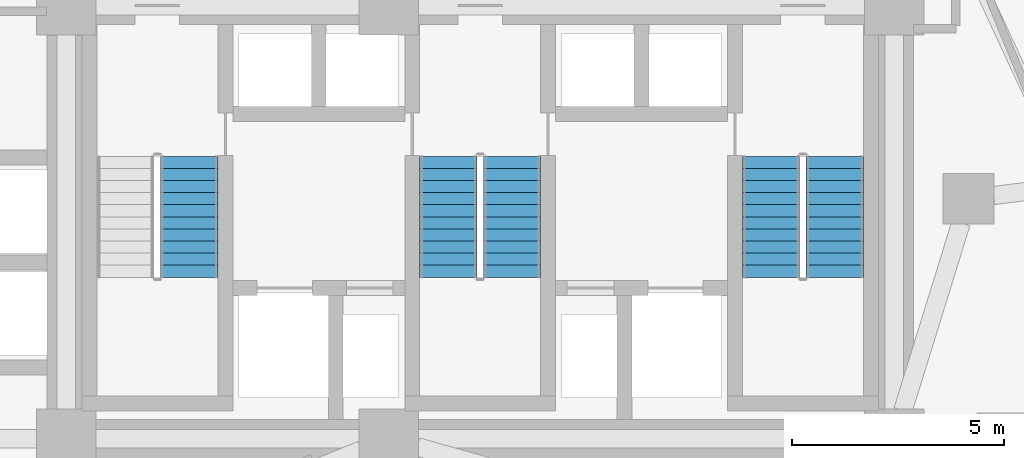
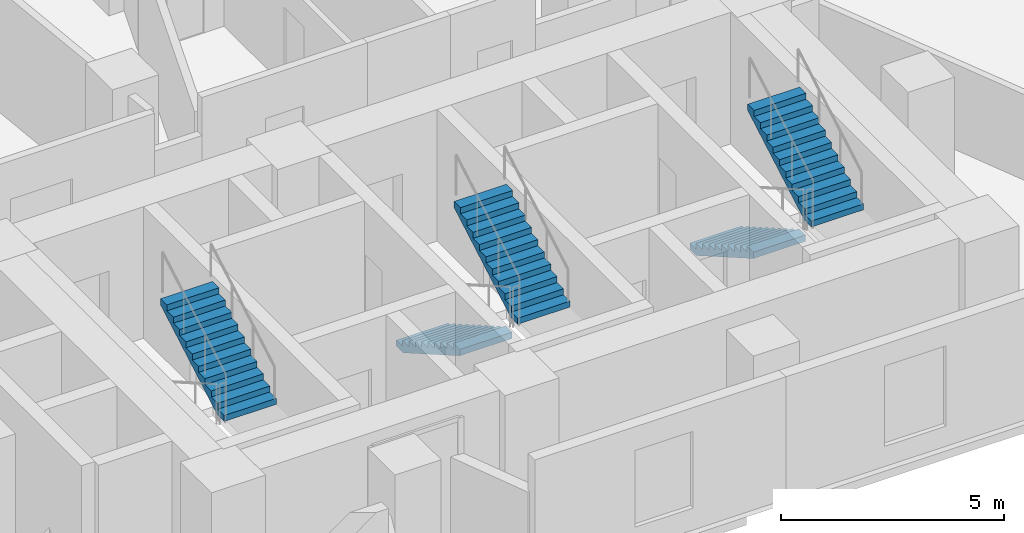
# One storey, part 10 of 13: 5 stair flights, 3 elements without a shape of their own.
"""IFC4 building model written with IfcOpenShell, lengths in metres."""

from ifc_helpers import new_model, si_unit, direction, frame, origin, place, context, subcontext, project, spatial, polyline, outline, extrude, material, type_object, element, aggregate, save


model = new_model("IFC4")

# Units and contexts
model_context = context("Model", 3, precision=1e-05, world=origin(), true_north=direction((0.0, 1.0)))
body_context = subcontext(model_context, "Body", "Model", "MODEL_VIEW")
ifc_project = project(units=[si_unit("LENGTHUNIT", "METRE"), si_unit("AREAUNIT", "SQUARE_METRE"), si_unit("VOLUMEUNIT", "CUBIC_METRE"), si_unit("PLANEANGLEUNIT", "RADIAN"), si_unit("MASSUNIT", "GRAM", prefix="KILO")], contexts=[model_context])

# Site, building, storey
site_placement = place(None, origin())
site = spatial("IfcSite", under=ifc_project, at=site_placement, CompositionType="ELEMENT")
building_placement = place(site_placement, origin())
building = spatial("IfcBuilding", under=site, at=building_placement, Name="Almagre Mirador Tower", CompositionType="ELEMENT")
storey_placement = place(building_placement, frame((0.0, 0.0, 85.800048828125)))
storey = spatial("IfcBuildingStorey", under=building, at=storey_placement, Name="L21", CompositionType="ELEMENT", Elevation=85.800048828125)

# Stair, stair flight
ifc_material_1 = material(Name="Concrete C45/55", Category="concrete")
stair_type = type_object("IfcStairType", Name="STR-DL-3600", PredefinedType="HALF_TURN_STAIR", material=ifc_material_1)
stair_1_placement = place(storey_placement, origin())
stair_1 = element("IfcStair", 1, at=stair_1_placement, inside=storey, type_object=stair_type, Name="L21 Protected exit stair ST-1", PredefinedType="HALF_TURN_STAIR")
ifc_material_2 = material(Name="Concrete C45/55", Category="concrete")
stair_flight_type = type_object("IfcStairFlightType", Name="FLT-DL-3600", PredefinedType="STRAIGHT", material=ifc_material_2)
stair_flight_1_placement = place(storey_placement, frame((30.449951171875, 8.35009765625, 1.800048828125), z_axis=(0.0, 0.0, 1.0), x_axis=(0.0, 1.0, 0.0)))
stair_flight_1 = element("IfcStairFlight", 2, at=stair_flight_1_placement, type_object=stair_flight_type, Name="ST-1 flight 2", NumberOfRisers=11, NumberOfTreads=10, PredefinedType="STRAIGHT", RiserHeight=0.163636364, TreadLength=0.285, context=body_context, shape_type="SweptSolid", body=[
    extrude(outline(polyline([(0.0, 0.0), (0.0, 0.16357421875), (0.284912109375, 0.16357421875), (0.284912109375, 0.327392578125), (0.570068359375, 0.327392578125), (0.570068359375, 0.490966796875), (0.85498046875, 0.490966796875), (0.85498046875, 0.654541015625), (1.139892578125, 0.654541015625), (1.139892578125, 0.818115234375), (1.425048828125, 0.818115234375), (1.425048828125, 0.98193359375), (1.7099609375, 0.98193359375), (1.7099609375, 1.1455078125), (1.9951171875, 1.1455078125), (1.9951171875, 1.30908203125), (2.280029296875, 1.30908203125), (2.280029296875, 1.47265625), (2.56494140625, 1.47265625), (2.56494140625, 1.636474609375), (2.85009765625, 1.636474609375), (2.85009765625, 1.800048828125), (2.85009765625, 1.463623046875), (0.301025390625, 0.0), (0.0, 0.0)])), frame((0.0, 0.675048828125, 0.0), z_axis=(0.0, -1.0, 0.0), x_axis=(1.0, 0.0, 0.0)), (0.0, 0.0, 1.0), 1.35009765625),
])
aggregate(stair_1, [stair_flight_1])

# Stair, stair flights
stair_2_placement = place(storey_placement, origin())
stair_2 = element("IfcStair", 3, at=stair_2_placement, inside=storey, type_object=stair_type, Name="L21 Protected exit stair ST-2", PredefinedType="HALF_TURN_STAIR")
stair_flight_2_placement = place(storey_placement, frame((36.550048828125, 11.199951171875, 0.0), z_axis=(0.0, 0.0, 1.0), x_axis=(0.0, -1.0, 0.0)))
stair_flight_2 = element("IfcStairFlight", 4, at=stair_flight_2_placement, type_object=stair_flight_type, Name="ST-2 flight 1", NumberOfRisers=11, NumberOfTreads=10, PredefinedType="STRAIGHT", RiserHeight=0.163636364, TreadLength=0.285, context=body_context, shape_type="SweptSolid", body=[
    extrude(outline(polyline([(0.0, 0.0), (0.0, 0.16357421875), (0.284912109375, 0.16357421875), (0.284912109375, 0.327392578125), (0.570068359375, 0.327392578125), (0.570068359375, 0.490966796875), (0.85498046875, 0.490966796875), (0.85498046875, 0.654541015625), (1.139892578125, 0.654541015625), (1.139892578125, 0.818115234375), (1.425048828125, 0.818115234375), (1.425048828125, 0.98193359375), (1.7099609375, 0.98193359375), (1.7099609375, 1.1455078125), (1.9951171875, 1.1455078125), (1.9951171875, 1.30908203125), (2.280029296875, 1.30908203125), (2.280029296875, 1.47265625), (2.56494140625, 1.47265625), (2.56494140625, 1.636474609375), (2.85009765625, 1.636474609375), (2.85009765625, 1.800048828125), (2.85009765625, 1.463623046875), (0.301025390625, 0.0), (0.0, 0.0)])), frame((0.0, 0.675048828125, 0.0), z_axis=(0.0, -1.0, 0.0), x_axis=(1.0, 0.0, 0.0)), (0.0, 0.0, 1.0), 1.35009765625),
])
stair_flight_3_placement = place(storey_placement, frame((38.050048828125, 8.35009765625, 1.800048828125), z_axis=(0.0, 0.0, 1.0), x_axis=(0.0, 1.0, 0.0)))
stair_flight_3 = element("IfcStairFlight", 5, at=stair_flight_3_placement, type_object=stair_flight_type, Name="ST-2 flight 2", NumberOfRisers=11, NumberOfTreads=10, PredefinedType="STRAIGHT", RiserHeight=0.163636364, TreadLength=0.285, context=body_context, shape_type="SweptSolid", body=[
    extrude(outline(polyline([(0.0, 0.0), (0.0, 0.16357421875), (0.284912109375, 0.16357421875), (0.284912109375, 0.327392578125), (0.570068359375, 0.327392578125), (0.570068359375, 0.490966796875), (0.85498046875, 0.490966796875), (0.85498046875, 0.654541015625), (1.139892578125, 0.654541015625), (1.139892578125, 0.818115234375), (1.425048828125, 0.818115234375), (1.425048828125, 0.98193359375), (1.7099609375, 0.98193359375), (1.7099609375, 1.1455078125), (1.9951171875, 1.1455078125), (1.9951171875, 1.30908203125), (2.280029296875, 1.30908203125), (2.280029296875, 1.47265625), (2.56494140625, 1.47265625), (2.56494140625, 1.636474609375), (2.85009765625, 1.636474609375), (2.85009765625, 1.800048828125), (2.85009765625, 1.463623046875), (0.301025390625, 0.0), (0.0, 0.0)])), frame((0.0, 0.675048828125, 0.0), z_axis=(0.0, -1.0, 0.0), x_axis=(1.0, 0.0, 0.0)), (0.0, 0.0, 1.0), 1.35009765625),
])
aggregate(stair_2, [stair_flight_2, stair_flight_3])

stair_3_placement = place(storey_placement, origin())
stair_3 = element("IfcStair", 6, at=stair_3_placement, inside=storey, type_object=stair_type, Name="L21 Protected exit stair ST-3", PredefinedType="HALF_TURN_STAIR")
stair_flight_4_placement = place(storey_placement, frame((44.14990234375, 11.199951171875, 0.0), z_axis=(0.0, 0.0, 1.0), x_axis=(0.0, -1.0, 0.0)))
stair_flight_4 = element("IfcStairFlight", 7, at=stair_flight_4_placement, type_object=stair_flight_type, Name="ST-3 flight 1", NumberOfRisers=11, NumberOfTreads=10, PredefinedType="STRAIGHT", RiserHeight=0.163636364, TreadLength=0.285, context=body_context, shape_type="SweptSolid", body=[
    extrude(outline(polyline([(0.0, 0.0), (0.0, 0.16357421875), (0.284912109375, 0.16357421875), (0.284912109375, 0.327392578125), (0.570068359375, 0.327392578125), (0.570068359375, 0.490966796875), (0.85498046875, 0.490966796875), (0.85498046875, 0.654541015625), (1.139892578125, 0.654541015625), (1.139892578125, 0.818115234375), (1.425048828125, 0.818115234375), (1.425048828125, 0.98193359375), (1.7099609375, 0.98193359375), (1.7099609375, 1.1455078125), (1.9951171875, 1.1455078125), (1.9951171875, 1.30908203125), (2.280029296875, 1.30908203125), (2.280029296875, 1.47265625), (2.56494140625, 1.47265625), (2.56494140625, 1.636474609375), (2.85009765625, 1.636474609375), (2.85009765625, 1.800048828125), (2.85009765625, 1.463623046875), (0.301025390625, 0.0), (0.0, 0.0)])), frame((0.0, 0.675048828125, 0.0), z_axis=(0.0, -1.0, 0.0), x_axis=(1.0, 0.0, 0.0)), (0.0, 0.0, 1.0), 1.35009765625),
])
stair_flight_5_placement = place(storey_placement, frame((45.64990234375, 8.35009765625, 1.800048828125), z_axis=(0.0, 0.0, 1.0), x_axis=(0.0, 1.0, 0.0)))
stair_flight_5 = element("IfcStairFlight", 8, at=stair_flight_5_placement, type_object=stair_flight_type, Name="ST-3 flight 2", NumberOfRisers=11, NumberOfTreads=10, PredefinedType="STRAIGHT", RiserHeight=0.163636364, TreadLength=0.285, context=body_context, shape_type="SweptSolid", body=[
    extrude(outline(polyline([(0.0, 0.0), (0.0, 0.16357421875), (0.284912109375, 0.16357421875), (0.284912109375, 0.327392578125), (0.570068359375, 0.327392578125), (0.570068359375, 0.490966796875), (0.85498046875, 0.490966796875), (0.85498046875, 0.654541015625), (1.139892578125, 0.654541015625), (1.139892578125, 0.818115234375), (1.425048828125, 0.818115234375), (1.425048828125, 0.98193359375), (1.7099609375, 0.98193359375), (1.7099609375, 1.1455078125), (1.9951171875, 1.1455078125), (1.9951171875, 1.30908203125), (2.280029296875, 1.30908203125), (2.280029296875, 1.47265625), (2.56494140625, 1.47265625), (2.56494140625, 1.636474609375), (2.85009765625, 1.636474609375), (2.85009765625, 1.800048828125), (2.85009765625, 1.463623046875), (0.301025390625, 0.0), (0.0, 0.0)])), frame((0.0, 0.675048828125, 0.0), z_axis=(0.0, -1.0, 0.0), x_axis=(1.0, 0.0, 0.0)), (0.0, 0.0, 1.0), 1.35009765625),
])
aggregate(stair_3, [stair_flight_4, stair_flight_5])

save(model, "model.ifc")
